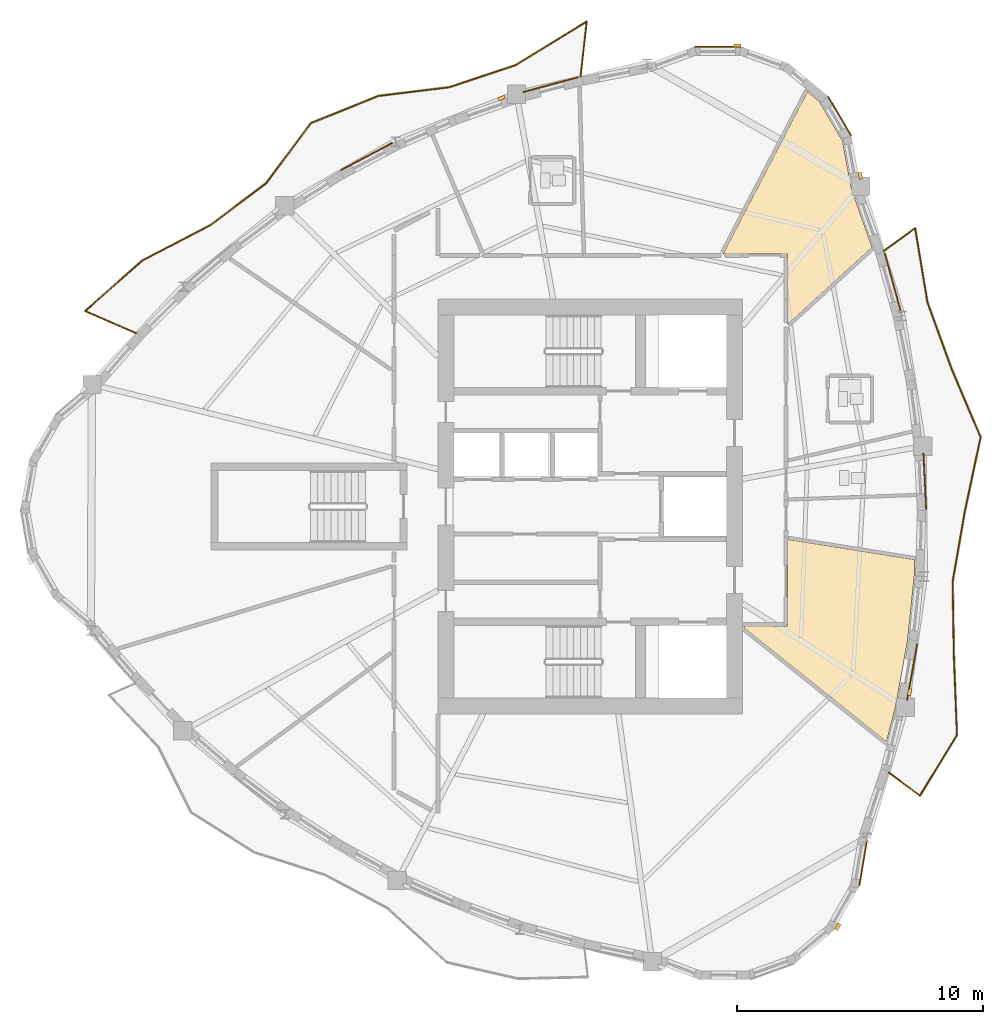
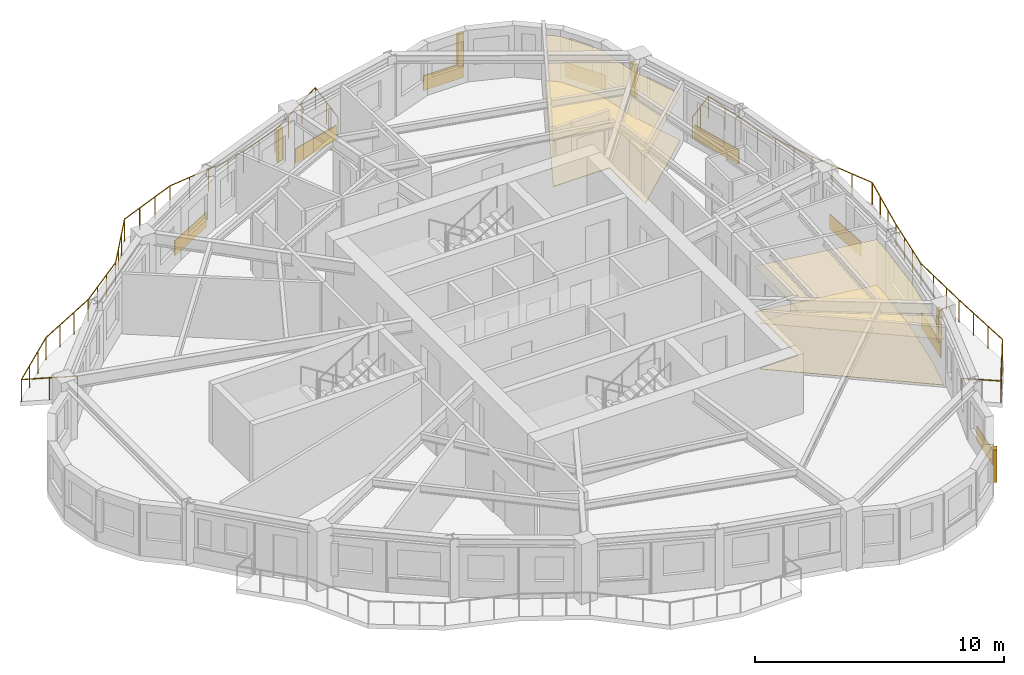
# One storey, part 11 of 12: 12 coverings, 5 shading devices, 2 railings.
"""IFC4 building model written with IfcOpenShell, lengths in metres."""

import ifcopenshell
import ifcopenshell.guid

model = None  # the IFC model being written
_history = None  # IfcOwnerHistory: only IFC2X3 demands one
_inside = {}  # id of a spatial element -> (the spatial element, [elements in it])
_under = {}  # id of a project, library or spatial element -> (it, [spatial elements below it])
_declared = {}  # id of a project -> (the project, [libraries it declares])
_typed = {}  # id of a type object -> (the type object, [elements of that type])
_made_of = {}  # id of a material, layer set ... -> (it, [elements and type objects made of it])


def new_model(schema):
    """Start an empty IFC model of exactly this schema.

    Asked for "IFC4X3", IfcOpenShell would pick the latest addendum, in which some entities
    have other attributes; the version numbers below select the first issue.
    IFC2X3 requires an IfcOwnerHistory on every rooted entity: one is made here for all.
    """
    global model, _history
    if schema == "IFC4X3":
        model = ifcopenshell.file(schema_version=(4, 3, 0, 0))
    else:
        model = ifcopenshell.file(schema=schema)
    _inside.clear()
    _under.clear()
    _declared.clear()
    _typed.clear()
    _made_of.clear()
    _history = None
    if model.schema == "IFC2X3":
        org = make("IfcOrganization", Name="unknown")
        user = make(
            "IfcPersonAndOrganization",
            ThePerson=make("IfcPerson", FamilyName="unknown"),
            TheOrganization=org,
        )
        app = make(
            "IfcApplication",
            ApplicationDeveloper=org,
            Version="unknown",
            ApplicationFullName="unknown",
            ApplicationIdentifier="unknown",
        )
        _history = make(
            "IfcOwnerHistory",
            OwningUser=user,
            OwningApplication=app,
            ChangeAction="ADDED",
            CreationDate=0,
        )
    return model


def make(cls, **values):
    """One entity of the class cls with the attributes given. An attribute that is None is left unset."""
    return model.create_entity(
        cls, **{name: value for name, value in values.items() if value is not None}
    )


def rooted(cls, **values):
    """An entity with a GlobalId (a new one), such as an element, a storey or a relation."""
    return make(cls, GlobalId=ifcopenshell.guid.new(), OwnerHistory=_history, **values)


def si_unit(unit_type, name, prefix=None):
    """IfcSIUnit, for example si_unit("LENGTHUNIT", "METRE", prefix="MILLI")."""
    return make("IfcSIUnit", UnitType=unit_type, Prefix=prefix, Name=name)


def assignment(units):
    """IfcUnitAssignment: the units of a project."""
    return None if units is None else make("IfcUnitAssignment", Units=units)


def point(xyz):
    """IfcCartesianPoint."""
    return None if xyz is None else make("IfcCartesianPoint", Coordinates=xyz)


def direction(xyz):
    """IfcDirection."""
    return None if xyz is None else make("IfcDirection", DirectionRatios=xyz)


def frame(location, z_axis=None, x_axis=None):
    """IfcAxis2Placement3D, a coordinate frame: its origin and axes. An axis left out is left unset."""
    return make(
        "IfcAxis2Placement3D",
        Location=point(location),
        Axis=direction(z_axis),
        RefDirection=direction(x_axis),
    )


def frame_2d(location, x_axis=None):
    """IfcAxis2Placement2D, a coordinate frame in the plane: its origin and x axis."""
    return make(
        "IfcAxis2Placement2D", Location=point(location), RefDirection=direction(x_axis)
    )


def origin():
    """The frame at (0, 0, 0) with its axes left unset."""
    return frame((0.0, 0.0, 0.0))


def origin_2d():
    """The frame at (0, 0) in the plane with its x axis left unset."""
    return frame_2d((0.0, 0.0))


def place(relative_to, where):
    """IfcLocalPlacement: puts the frame where relative to a parent placement (None: the world)."""
    return make(
        "IfcLocalPlacement", PlacementRelTo=relative_to, RelativePlacement=where
    )


def context(
    kind, dimensions, precision=None, world=None, true_north=None, identifier=None
):
    """IfcGeometricRepresentationContext, for example the 3D "Model" context."""
    return make(
        "IfcGeometricRepresentationContext",
        ContextIdentifier=identifier,
        ContextType=kind,
        CoordinateSpaceDimension=dimensions,
        Precision=precision,
        WorldCoordinateSystem=world,
        TrueNorth=true_north,
    )


def subcontext(parent, identifier, kind, view, scale=None):
    """IfcGeometricRepresentationSubContext, for example "Body" below "Model"."""
    return make(
        "IfcGeometricRepresentationSubContext",
        ContextIdentifier=identifier,
        ContextType=kind,
        ParentContext=parent,
        TargetScale=scale,
        TargetView=view,
    )


def project(units=None, contexts=None):
    """IfcProject with its units and contexts."""
    return rooted(
        "IfcProject",
        Name="project",
        RepresentationContexts=contexts,
        UnitsInContext=assignment(units),
    )


def spatial(cls, under=None, at=None, **own):
    """A site, building, storey or space (cls), placed at a placement, below another one or the project."""
    s = rooted(cls, ObjectPlacement=at, **own)
    if under is not None:
        _under.setdefault(under.id(), (under, []))[1].append(s)
    return s


def polyline(points):
    """IfcPolyline through the points."""
    return make("IfcPolyline", Points=[point(p) for p in points])


def profile(cls, at=None, kind="AREA", **sizes):
    """A parametric profile (cls). Its sizes go by their IFC names, for example OverallWidth=200.0."""
    return make(cls, ProfileType=kind, Position=at, **sizes)


def rectangle(**sizes):
    """IfcRectangleProfileDef."""
    return profile("IfcRectangleProfileDef", **sizes)


def circle(**sizes):
    """IfcCircleProfileDef."""
    return profile("IfcCircleProfileDef", **sizes)


def outline(outer, holes=None, kind="AREA"):
    """IfcArbitraryClosedProfileDef: a profile drawn as a closed curve; with holes, ...WithVoids."""
    if holes is None:
        return make("IfcArbitraryClosedProfileDef", ProfileType=kind, OuterCurve=outer)
    return make(
        "IfcArbitraryProfileDefWithVoids",
        ProfileType=kind,
        OuterCurve=outer,
        InnerCurves=holes,
    )


def extrude(swept, where, along, depth):
    """IfcExtrudedAreaSolid: the profile swept, set in the frame where, extruded along a direction by depth."""
    return make(
        "IfcExtrudedAreaSolid",
        SweptArea=swept,
        Position=where,
        ExtrudedDirection=direction(along),
        Depth=depth,
    )


def shape(context_of_items, identifier, shape_type, items):
    """IfcShapeRepresentation: the items that make up one representation, for example the "Body"."""
    return make(
        "IfcShapeRepresentation",
        ContextOfItems=context_of_items,
        RepresentationIdentifier=identifier,
        RepresentationType=shape_type,
        Items=items,
    )


def source(mapping_origin, context_of_items, identifier, shape_type, items):
    """IfcRepresentationMap: a shape defined once, which mapped items show again and again."""
    return make(
        "IfcRepresentationMap",
        MappingOrigin=mapping_origin,
        MappedRepresentation=shape(context_of_items, identifier, shape_type, items),
    )


def transform(
    local_origin,
    x_axis=None,
    y_axis=None,
    z_axis=None,
    scale=None,
    scale2=None,
    scale3=None,
    uniform=True,
):
    """IfcCartesianTransformationOperator3D, or its non-uniform kind. x_axis, y_axis, z_axis: its Axis1, 2, 3."""
    if uniform:
        return make(
            "IfcCartesianTransformationOperator3D",
            Axis1=direction(x_axis),
            Axis2=direction(y_axis),
            LocalOrigin=point(local_origin),
            Scale=scale,
            Axis3=direction(z_axis),
        )
    return make(
        "IfcCartesianTransformationOperator3DnonUniform",
        Axis1=direction(x_axis),
        Axis2=direction(y_axis),
        LocalOrigin=point(local_origin),
        Scale=scale,
        Axis3=direction(z_axis),
        Scale2=scale2,
        Scale3=scale3,
    )


def mapped(mapping_source, mapping_target):
    """IfcMappedItem: shows the shape of a source again, moved by a transform."""
    return make(
        "IfcMappedItem", MappingSource=mapping_source, MappingTarget=mapping_target
    )


def material(Name=None, Category=None):
    """IfcMaterial."""
    return make("IfcMaterial", Name=Name, Category=Category)


def layer(
    of_material, thickness, ventilated=None, Name=None, Category=None, Priority=None
):
    """IfcMaterialLayer: one layer of a wall or slab, of a material (None: an air gap)."""
    return make(
        "IfcMaterialLayer",
        Material=of_material,
        LayerThickness=thickness,
        IsVentilated=ventilated,
        Name=Name,
        Category=Category,
        Priority=Priority,
    )


def layer_set(layers, Name=None):
    """IfcMaterialLayerSet."""
    return make("IfcMaterialLayerSet", MaterialLayers=layers, LayerSetName=Name)


def made_of(thing, what):
    """Note that an element or type object is made of a material, layer set ...; save() writes the relation."""
    if what is not None:
        _made_of.setdefault(what.id(), (what, []))[1].append(thing)
    return thing


def type_object(cls, material=None, **own):
    """A type object (cls), such as IfcWallType, which elements share."""
    return made_of(rooted(cls, **own), material)


def element(
    cls,
    number,
    at=None,
    inside=None,
    cuts=None,
    type_object=None,
    material=None,
    context=None,
    identifier="Body",
    shape_type=None,
    held_by="IfcProductDefinitionShape",
    body=None,
    shapes=None,
    **own,
):
    """One element of the class cls, such as IfcWall. Its Tag is "e" and its number.

    at: its placement. inside: the storey or other place that contains it. cuts: it is an
    opening in that element (IfcRelVoidsElement). A single representation is given by context,
    identifier, shape_type and body (its items); several are given by shapes. held_by: the class
    of the entity that holds the representations. save() writes the other relations.
    """
    e = rooted(cls, Tag="e%d" % number, ObjectPlacement=at, **own)
    if body is not None:
        shapes = [shape(context, identifier, shape_type, body)]
    if shapes is not None:
        e.Representation = make(held_by, Representations=shapes)
    if inside is not None:
        _inside.setdefault(inside.id(), (inside, []))[1].append(e)
    if cuts is not None:
        rooted(
            "IfcRelVoidsElement", RelatingBuildingElement=cuts, RelatedOpeningElement=e
        )
    if type_object is not None:
        _typed.setdefault(type_object.id(), (type_object, []))[1].append(e)
    return made_of(e, material)


def aggregate(whole, parts):
    """IfcRelAggregates: a whole, such as a stair, and the parts it consists of."""
    return rooted("IfcRelAggregates", RelatingObject=whole, RelatedObjects=parts)


def save(model, path):
    """Write the relations noted so far, then the file.

    IfcRelAggregates (storeys below a building ...), IfcRelContainedInSpatialStructure (elements
    in a storey), IfcRelDefinesByType, IfcRelAssociatesMaterial and IfcRelDeclares: one each for
    every whole, place, type object, material and project.
    """
    for whole, parts in _under.values():
        aggregate(whole, parts)
    for where, things in _inside.values():
        rooted(
            "IfcRelContainedInSpatialStructure",
            RelatedElements=things,
            RelatingStructure=where,
        )
    for kind, things in _typed.values():
        rooted("IfcRelDefinesByType", RelatedObjects=things, RelatingType=kind)
    for what, things in _made_of.values():
        rooted("IfcRelAssociatesMaterial", RelatedObjects=things, RelatingMaterial=what)
    for by, libraries in _declared.values():
        rooted("IfcRelDeclares", RelatingContext=by, RelatedDefinitions=libraries)
    model.write(path)


model = new_model("IFC4")

# Units and contexts
model_context = context("Model", 3, precision=1e-05, world=origin(), true_north=direction((0.0, 1.0)))
body_context = subcontext(model_context, "Body", "Model", "MODEL_VIEW")
ifc_project = project(units=[si_unit("LENGTHUNIT", "METRE"), si_unit("AREAUNIT", "SQUARE_METRE"), si_unit("VOLUMEUNIT", "CUBIC_METRE"), si_unit("PLANEANGLEUNIT", "RADIAN"), si_unit("MASSUNIT", "GRAM", prefix="KILO")], contexts=[model_context])

# Site, building, storey
site_placement = place(None, origin())
site = spatial("IfcSite", under=ifc_project, at=site_placement, CompositionType="ELEMENT")
building_placement = place(site_placement, origin())
building = spatial("IfcBuilding", under=site, at=building_placement, Name="Qafzar Sky-Pleat Residences", CompositionType="ELEMENT")
storey_placement = place(building_placement, frame((0.0, 0.0, 139.39990234375)))
storey = spatial("IfcBuildingStorey", under=building, at=storey_placement, Name="L41", CompositionType="ELEMENT", Elevation=139.39990234375)

# Coverings
ifc_material_1 = material(Name="Perforated acoustic gypsum board ceiling")
ifc_layer_1 = layer(ifc_material_1, 0.02001953125)
ifc_layer_set_1 = layer_set([ifc_layer_1], Name="Perforated acoustic gypsum board ceiling")
covering_type_1 = type_object("IfcCoveringType", Name="COV-CEIL-ACOUSTIC", PredefinedType="CEILING", material=ifc_layer_set_1)
covering_1_placement = place(storey_placement, frame((0.0, 0.0, 2.239990234375)))
element("IfcCovering", 1, at=covering_1_placement, inside=storey, type_object=covering_type_1, Name="L41 Co-Living Lounge Acoustic Ceiling", PredefinedType="CEILING", context=body_context, shape_type="SweptSolid", body=[
    extrude(outline(polyline([(43.5498046875, 23.17431640625), (43.27587890625, 20.546142578125), (42.80224609375, 17.91552734375), (42.419189453125, 16.41748046875), (36.610107421875, 21.066650390625), (36.610107421875, 21.139892578125), (38.389892578125, 21.139892578125), (38.389892578125, 24.65966796875), (43.568603515625, 23.835205078125), (43.5498046875, 23.17431640625)])), origin(), (0.0, 0.0, 1.0), 0.02001953125),
])
covering_2_placement = place(storey_placement, frame((0.0, 0.0, 2.239990234375)))
element("IfcCovering", 2, at=covering_2_placement, inside=storey, type_object=covering_type_1, Name="L41 Communal Kitchen Acoustic Ceiling", PredefinedType="CEILING", context=body_context, shape_type="SweptSolid", body=[
    extrude(outline(polyline([(39.68310546875, 42.493896484375), (40.62890625, 40.8828125), (40.98779296875, 38.948486328125), (41.8310546875, 36.55810546875), (38.389892578125, 33.41796875), (38.389892578125, 36.2900390625), (35.768310546875, 36.2900390625), (39.201904296875, 42.893310546875), (39.68310546875, 42.493896484375)])), origin(), (0.0, 0.0, 1.0), 0.02001953125),
])
ifc_material_2 = material(Name="Honed porcelain and Riyadh stone tile flooring", Category="masonry")
ifc_layer_2 = layer(ifc_material_2, 0.02001953125)
ifc_layer_set_2 = layer_set([ifc_layer_2], Name="Honed porcelain and Riyadh stone tile flooring")
covering_type_2 = type_object("IfcCoveringType", Name="COV-FLR-PORCELAIN", PredefinedType="FLOORING", material=ifc_layer_set_2)
covering_3_placement = place(storey_placement, origin())
element("IfcCovering", 3, at=covering_3_placement, inside=storey, type_object=covering_type_2, Name="L41 Co-Living Lounge Honed Stone Flooring", PredefinedType="FLOORING", context=body_context, shape_type="SweptSolid", body=[
    extrude(outline(polyline([(43.5498046875, 23.17431640625), (43.27587890625, 20.546142578125), (42.80224609375, 17.91552734375), (42.419189453125, 16.41748046875), (36.610107421875, 21.066650390625), (36.610107421875, 21.139892578125), (38.389892578125, 21.139892578125), (38.389892578125, 24.65966796875), (43.568603515625, 23.835205078125), (43.5498046875, 23.17431640625)])), origin(), (0.0, 0.0, 1.0), 0.02001953125),
])
covering_4_placement = place(storey_placement, origin())
element("IfcCovering", 4, at=covering_4_placement, inside=storey, type_object=covering_type_2, Name="L41 Communal Kitchen Honed Stone Flooring", PredefinedType="FLOORING", context=body_context, shape_type="SweptSolid", body=[
    extrude(outline(polyline([(39.68310546875, 42.493896484375), (40.62890625, 40.8828125), (40.98779296875, 38.948486328125), (41.8310546875, 36.55810546875), (38.389892578125, 33.41796875), (38.389892578125, 36.2900390625), (35.768310546875, 36.2900390625), (39.201904296875, 42.893310546875), (39.68310546875, 42.493896484375)])), origin(), (0.0, 0.0, 1.0), 0.02001953125),
])

# Shading devices
ifc_material_3 = material(Name="Honed Riyadh limestone solar fin", Category="masonry")
ifc_layer_3 = layer(ifc_material_3, 0.139892578125)
ifc_layer_set_3 = layer_set([ifc_layer_3], Name="Honed Riyadh limestone solar fin")
shading_device_type = type_object("IfcShadingDeviceType", Name="SHD-FIN-STONE", PredefinedType="SHUTTER", material=ifc_layer_set_3)
shared_shape_1 = source(origin(), body_context, "Body", "SweptSolid", [
    extrude(rectangle(XDim=0.139892578125, YDim=0.280029296875, at=origin_2d()), origin(), (0.0, 0.0, 1.0), 1.60009765625),
])
for number, where, z_axis, x_axis, name in (
    (5, (40.4375, 8.890380859375, 0.60009765625), (0.0, 0.0, 1.0), (0.868430786621, -0.495810416236, 0.0), "L41 Limestone Solar Fin 21"),
    (6, (43.360595703125, 18.4482421875, 0.60009765625), (0.0, 0.0, 1.0), (0.98417699891, -0.177188133958, 0.0), "L41 Limestone Solar Fin 25"),
    (7, (41.35400390625, 39.468505859375, 0.60009765625), (0.0, 0.0, 1.0), (0.983238323882, 0.182324980325, 0.0), "L41 Limestone Solar Fin 33"),
    (8, (36.35693359375, 44.7734375, 0.60009765625), (0.0, 0.0, 1.0), (-0.002443761091, 0.999997014011, 0.0), "L41 Limestone Solar Fin 37"),
    (9, (26.750244140625, 42.639892578125, 0.60009765625), (0.0, 0.0, 1.0), (-0.329555550412, 0.944136186783, 0.0), "L41 Limestone Solar Fin 41"),
):
    element("IfcShadingDevice", number, at=place(storey_placement, frame(where, z_axis=z_axis, x_axis=x_axis)), inside=storey, type_object=shading_device_type, Name=name, PredefinedType="SHUTTER", context=body_context, shape_type="MappedRepresentation", body=[
        mapped(shared_shape_1, transform((0.0, 0.0, 0.0), x_axis=(1.0, 0.0, 0.0), y_axis=(0.0, 1.0, 0.0), z_axis=(0.0, 0.0, 1.0), scale=1.0)),
    ])

# Railings
ifc_material_4 = material(Name="Laminated glass and bronze steel balustrade", Category="steel")
railing_type = type_object("IfcRailingType", Name="RAIL-BAL-1100", PredefinedType="BALUSTRADE", material=ifc_material_4)
shared_shape_2 = source(origin(), body_context, "Body", "SweptSolid", [
    extrude(circle(Radius=0.02392578125, at=origin_2d()), frame((0.0, 0.0, 1.076171875), z_axis=(0.801353404817, -0.598191207381, 0.0), x_axis=(0.598191207381, 0.801353404817, 0.0)), (0.0, 0.0, 1.0), 1.577880859375),
    extrude(circle(Radius=0.02392578125, at=origin_2d()), frame((1.264404296875, -0.94384765625, 1.076171875), z_axis=(0.520405615074, 0.853919197465, 0.0), x_axis=(-0.853919197465, 0.520405615074, 0.0)), (0.0, 0.0, 1.0), 2.904052734375),
    extrude(circle(Radius=0.02392578125, at=origin_2d()), frame((2.775634765625, 1.535888671875, 1.076171875), z_axis=(-0.038645555912, 0.999252981486, 0.0), x_axis=(-0.999252981486, -0.038645555912, 0.0)), (0.0, 0.0, 1.0), 3.26611328125),
    extrude(circle(Radius=0.02392578125, at=origin_2d()), frame((2.6494140625, 4.799560546875, 1.076171875), z_axis=(-0.017312356591, 0.999850129924, 0.0), x_axis=(-0.999850129924, -0.017312356591, 0.0)), (0.0, 0.0, 1.0), 2.9755859375),
    extrude(circle(Radius=0.02392578125, at=origin_2d()), frame((2.597900390625, 7.774658203125, 1.076171875), z_axis=(0.171045008682, 0.985263216103, 0.0), x_axis=(-0.985263216103, 0.171045008682, 0.0)), (0.0, 0.0, 1.0), 2.887451171875),
    extrude(circle(Radius=0.02392578125, at=origin_2d()), frame((3.091796875, 10.61962890625, 1.076171875), z_axis=(0.207848413756, 0.978161048549, 0.0), x_axis=(-0.978161048549, 0.207848413756, 0.0)), (0.0, 0.0, 1.0), 3.105712890625),
    extrude(circle(Radius=0.02392578125, at=origin_2d()), frame((3.7373046875, 13.657470703125, 1.076171875), z_axis=(-0.390327818076, 0.920675944313, 0.0), x_axis=(-0.920675944313, -0.390327818076, 0.0)), (0.0, 0.0, 1.0), 3.021728515625),
    extrude(circle(Radius=0.02392578125, at=origin_2d()), frame((2.557861328125, 16.439453125, 1.076171875), z_axis=(-0.342193439996, 0.939629527858, 0.0), x_axis=(-0.939629527858, -0.342193439996, 0.0)), (0.0, 0.0, 1.0), 2.872314453125),
    extrude(circle(Radius=0.02392578125, at=origin_2d()), frame((1.574951171875, 19.138427734375, 1.076171875), z_axis=(-0.163447252844, 0.986552074418, 0.0), x_axis=(-0.986552074418, -0.163447252844, 0.0)), (0.0, 0.0, 1.0), 3.07861328125),
    extrude(circle(Radius=0.02392578125, at=origin_2d()), frame((1.07177734375, 22.175537109375, 1.076171875), z_axis=(-0.808622343014, -0.588328060165, 0.0), x_axis=(0.588328060165, -0.808622343014, 0.0)), (0.0, 0.0, 1.0), 1.578125),
    extrude(circle(Radius=0.02099609375, at=origin_2d()), origin(), (0.0, 0.0, 1.0), 1.052001953125),
    extrude(circle(Radius=0.02099609375, at=origin_2d()), frame((0.63232421875, -0.471923828125, 0.0)), (0.0, 0.0, 1.0), 1.052001953125),
    extrude(circle(Radius=0.02099609375, at=origin_2d()), frame((1.264404296875, -0.94384765625, 0.0)), (0.0, 0.0, 1.0), 1.052001953125),
    extrude(circle(Radius=0.02099609375, at=origin_2d()), frame((1.76806640625, -0.1171875, 0.0)), (0.0, 0.0, 1.0), 1.052001953125),
    extrude(circle(Radius=0.02099609375, at=origin_2d()), frame((2.27197265625, 0.709228515625, 0.0)), (0.0, 0.0, 1.0), 1.052001953125),
    extrude(circle(Radius=0.02099609375, at=origin_2d()), frame((2.775634765625, 1.535888671875, 0.0)), (0.0, 0.0, 1.0), 1.052001953125),
    extrude(circle(Radius=0.02099609375, at=origin_2d()), frame((2.733642578125, 2.623779296875, 0.0)), (0.0, 0.0, 1.0), 1.052001953125),
    extrude(circle(Radius=0.02099609375, at=origin_2d()), frame((2.69140625, 3.711669921875, 0.0)), (0.0, 0.0, 1.0), 1.052001953125),
    extrude(circle(Radius=0.02099609375, at=origin_2d()), frame((2.6494140625, 4.799560546875, 0.0)), (0.0, 0.0, 1.0), 1.052001953125),
    extrude(circle(Radius=0.02099609375, at=origin_2d()), frame((2.63232421875, 5.791259765625, 0.0)), (0.0, 0.0, 1.0), 1.052001953125),
    extrude(circle(Radius=0.02099609375, at=origin_2d()), frame((2.614990234375, 6.782958984375, 0.0)), (0.0, 0.0, 1.0), 1.052001953125),
    extrude(circle(Radius=0.02099609375, at=origin_2d()), frame((2.597900390625, 7.774658203125, 0.0)), (0.0, 0.0, 1.0), 1.052001953125),
    extrude(circle(Radius=0.02099609375, at=origin_2d()), frame((2.762451171875, 8.722900390625, 0.0)), (0.0, 0.0, 1.0), 1.052001953125),
    extrude(circle(Radius=0.02099609375, at=origin_2d()), frame((2.92724609375, 9.67138671875, 0.0)), (0.0, 0.0, 1.0), 1.052001953125),
    extrude(circle(Radius=0.02099609375, at=origin_2d()), frame((3.091796875, 10.61962890625, 0.0)), (0.0, 0.0, 1.0), 1.052001953125),
    extrude(circle(Radius=0.02099609375, at=origin_2d()), frame((3.306884765625, 11.63232421875, 0.0)), (0.0, 0.0, 1.0), 1.052001953125),
    extrude(circle(Radius=0.02099609375, at=origin_2d()), frame((3.522216796875, 12.644775390625, 0.0)), (0.0, 0.0, 1.0), 1.052001953125),
    extrude(circle(Radius=0.02099609375, at=origin_2d()), frame((3.7373046875, 13.657470703125, 0.0)), (0.0, 0.0, 1.0), 1.052001953125),
    extrude(circle(Radius=0.02099609375, at=origin_2d()), frame((3.34423828125, 14.584716796875, 0.0)), (0.0, 0.0, 1.0), 1.052001953125),
    extrude(circle(Radius=0.02099609375, at=origin_2d()), frame((2.950927734375, 15.51220703125, 0.0)), (0.0, 0.0, 1.0), 1.052001953125),
    extrude(circle(Radius=0.02099609375, at=origin_2d()), frame((2.557861328125, 16.439453125, 0.0)), (0.0, 0.0, 1.0), 1.052001953125),
    extrude(circle(Radius=0.02099609375, at=origin_2d()), frame((2.230224609375, 17.339111328125, 0.0)), (0.0, 0.0, 1.0), 1.052001953125),
    extrude(circle(Radius=0.02099609375, at=origin_2d()), frame((1.902587890625, 18.23876953125, 0.0)), (0.0, 0.0, 1.0), 1.052001953125),
    extrude(circle(Radius=0.02099609375, at=origin_2d()), frame((1.574951171875, 19.138427734375, 0.0)), (0.0, 0.0, 1.0), 1.052001953125),
    extrude(circle(Radius=0.02099609375, at=origin_2d()), frame((1.4072265625, 20.15087890625, 0.0)), (0.0, 0.0, 1.0), 1.052001953125),
    extrude(circle(Radius=0.02099609375, at=origin_2d()), frame((1.239501953125, 21.1630859375, 0.0)), (0.0, 0.0, 1.0), 1.052001953125),
    extrude(circle(Radius=0.02099609375, at=origin_2d()), frame((1.07177734375, 22.175537109375, 0.0)), (0.0, 0.0, 1.0), 1.052001953125),
    extrude(circle(Radius=0.02099609375, at=origin_2d()), frame((0.43359375, 21.71142578125, 0.0)), (0.0, 0.0, 1.0), 1.052001953125),
    extrude(circle(Radius=0.02099609375, at=origin_2d()), frame((-0.204345703125, 21.2470703125, 0.0)), (0.0, 0.0, 1.0), 1.052001953125),
])
railing_1_placement = place(storey_placement, frame((42.512939453125, 15.164306640625, 0.0)))
element("IfcRailing", 10, at=railing_1_placement, inside=storey, type_object=railing_type, Name="L41 Pleated Balcony 1 Balustrade", PredefinedType="BALUSTRADE", context=body_context, shape_type="MappedRepresentation", body=[
    mapped(shared_shape_2, transform((0.0, 0.0, 0.0), x_axis=(1.0, 0.0, 0.0), y_axis=(0.0, 1.0, 0.0), z_axis=(0.0, 0.0, 1.0), scale=1.0)),
])
shared_shape_3 = source(origin(), body_context, "Body", "SweptSolid", [
    extrude(circle(Radius=0.02392578125, at=origin_2d()), frame((0.0, 0.0, 1.076171875), z_axis=(0.111375424683, 0.993778403255, 0.0), x_axis=(-0.993778403255, 0.111375424683, 0.0)), (0.0, 0.0, 1.0), 2.27099609375),
    extrude(circle(Radius=0.02392578125, at=origin_2d()), frame((0.2529296875, 2.2568359375, 1.076171875), z_axis=(-0.852424246602, -0.52285074716, 0.0), x_axis=(0.52285074716, -0.852424246602, 0.0)), (0.0, 0.0, 1.0), 3.41064453125),
    extrude(circle(Radius=0.02392578125, at=origin_2d()), frame((-2.654296875, 0.4736328125, 1.076171875), z_axis=(-0.948743463962, -0.316047211013, 0.0), x_axis=(0.316047211013, -0.948743463962, 0.0)), (0.0, 0.0, 1.0), 2.839599609375),
    extrude(circle(Radius=0.02392578125, at=origin_2d()), frame((-5.348388671875, -0.423828125, 1.076171875), z_axis=(-0.99263797052, -0.12111919535, 0.0), x_axis=(0.12111919535, -0.99263797052, 0.0)), (0.0, 0.0, 1.0), 2.896484375),
    extrude(circle(Radius=0.02392578125, at=origin_2d()), frame((-8.2236328125, -0.774658203125, 1.076171875), z_axis=(-0.92795936646, -0.372681384295, 0.0), x_axis=(0.372681384295, -0.92795936646, 0.0)), (0.0, 0.0, 1.0), 2.966796875),
    extrude(circle(Radius=0.02392578125, at=origin_2d()), frame((-10.976806640625, -1.88037109375, 1.076171875), z_axis=(-0.59768284632, -0.801732633248, 0.0), x_axis=(0.801732633248, -0.59768284632, 0.0)), (0.0, 0.0, 1.0), 3.0546875),
    extrude(circle(Radius=0.02392578125, at=origin_2d()), frame((-12.802490234375, -4.329345703125, 1.076171875), z_axis=(-0.798375377885, -0.602160075052, 0.0), x_axis=(0.602160075052, -0.798375377885, 0.0)), (0.0, 0.0, 1.0), 2.818115234375),
    extrude(circle(Radius=0.02392578125, at=origin_2d()), frame((-15.052490234375, -6.0263671875, 1.076171875), z_axis=(-0.887009097879, -0.461751946699, 0.0), x_axis=(0.461751946699, -0.887009097879, 0.0)), (0.0, 0.0, 1.0), 3.157470703125),
    extrude(circle(Radius=0.02392578125, at=origin_2d()), frame((-17.853271484375, -7.484375, 1.076171875), z_axis=(-0.749149940714, -0.662400457676, 0.0), x_axis=(0.662400457676, -0.749149940714, 0.0)), (0.0, 0.0, 1.0), 3.0986328125),
    extrude(circle(Radius=0.02392578125, at=origin_2d()), frame((-20.174560546875, -9.536865234375, 1.076171875), z_axis=(0.916307784316, -0.400474773739, 0.0), x_axis=(0.400474773739, 0.916307784316, 0.0)), (0.0, 0.0, 1.0), 2.270751953125),
    extrude(circle(Radius=0.02099609375, at=origin_2d()), origin(), (0.0, 0.0, 1.0), 1.052001953125),
    extrude(circle(Radius=0.02099609375, at=origin_2d()), frame((0.12646484375, 1.12841796875, 0.0)), (0.0, 0.0, 1.0), 1.052001953125),
    extrude(circle(Radius=0.02099609375, at=origin_2d()), frame((0.2529296875, 2.2568359375, 0.0)), (0.0, 0.0, 1.0), 1.052001953125),
    extrude(circle(Radius=0.02099609375, at=origin_2d()), frame((-0.716064453125, 1.662353515625, 0.0)), (0.0, 0.0, 1.0), 1.052001953125),
    extrude(circle(Radius=0.02099609375, at=origin_2d()), frame((-1.685302734375, 1.068115234375, 0.0)), (0.0, 0.0, 1.0), 1.052001953125),
    extrude(circle(Radius=0.02099609375, at=origin_2d()), frame((-2.654296875, 0.4736328125, 0.0)), (0.0, 0.0, 1.0), 1.052001953125),
    extrude(circle(Radius=0.02099609375, at=origin_2d()), frame((-3.55224609375, 0.174560546875, 0.0)), (0.0, 0.0, 1.0), 1.052001953125),
    extrude(circle(Radius=0.02099609375, at=origin_2d()), frame((-4.450439453125, -0.124755859375, 0.0)), (0.0, 0.0, 1.0), 1.052001953125),
    extrude(circle(Radius=0.02099609375, at=origin_2d()), frame((-5.348388671875, -0.423828125, 0.0)), (0.0, 0.0, 1.0), 1.052001953125),
    extrude(circle(Radius=0.02099609375, at=origin_2d()), frame((-6.306884765625, -0.540771484375, 0.0)), (0.0, 0.0, 1.0), 1.052001953125),
    extrude(circle(Radius=0.02099609375, at=origin_2d()), frame((-7.26513671875, -0.65771484375, 0.0)), (0.0, 0.0, 1.0), 1.052001953125),
    extrude(circle(Radius=0.02099609375, at=origin_2d()), frame((-8.2236328125, -0.774658203125, 0.0)), (0.0, 0.0, 1.0), 1.052001953125),
    extrude(circle(Radius=0.02099609375, at=origin_2d()), frame((-9.141357421875, -1.143310546875, 0.0)), (0.0, 0.0, 1.0), 1.052001953125),
    extrude(circle(Radius=0.02099609375, at=origin_2d()), frame((-10.05908203125, -1.51171875, 0.0)), (0.0, 0.0, 1.0), 1.052001953125),
    extrude(circle(Radius=0.02099609375, at=origin_2d()), frame((-10.976806640625, -1.88037109375, 0.0)), (0.0, 0.0, 1.0), 1.052001953125),
    extrude(circle(Radius=0.02099609375, at=origin_2d()), frame((-11.58544921875, -2.69677734375, 0.0)), (0.0, 0.0, 1.0), 1.052001953125),
    extrude(circle(Radius=0.02099609375, at=origin_2d()), frame((-12.19384765625, -3.512939453125, 0.0)), (0.0, 0.0, 1.0), 1.052001953125),
    extrude(circle(Radius=0.02099609375, at=origin_2d()), frame((-12.802490234375, -4.329345703125, 0.0)), (0.0, 0.0, 1.0), 1.052001953125),
    extrude(circle(Radius=0.02099609375, at=origin_2d()), frame((-13.552490234375, -4.89501953125, 0.0)), (0.0, 0.0, 1.0), 1.052001953125),
    extrude(circle(Radius=0.02099609375, at=origin_2d()), frame((-14.302490234375, -5.460693359375, 0.0)), (0.0, 0.0, 1.0), 1.052001953125),
    extrude(circle(Radius=0.02099609375, at=origin_2d()), frame((-15.052490234375, -6.0263671875, 0.0)), (0.0, 0.0, 1.0), 1.052001953125),
    extrude(circle(Radius=0.02099609375, at=origin_2d()), frame((-15.986083984375, -6.512451171875, 0.0)), (0.0, 0.0, 1.0), 1.052001953125),
    extrude(circle(Radius=0.02099609375, at=origin_2d()), frame((-16.919677734375, -6.998291015625, 0.0)), (0.0, 0.0, 1.0), 1.052001953125),
    extrude(circle(Radius=0.02099609375, at=origin_2d()), frame((-17.853271484375, -7.484375, 0.0)), (0.0, 0.0, 1.0), 1.052001953125),
    extrude(circle(Radius=0.02099609375, at=origin_2d()), frame((-18.626953125, -8.16845703125, 0.0)), (0.0, 0.0, 1.0), 1.052001953125),
    extrude(circle(Radius=0.02099609375, at=origin_2d()), frame((-19.40087890625, -8.852783203125, 0.0)), (0.0, 0.0, 1.0), 1.052001953125),
    extrude(circle(Radius=0.02099609375, at=origin_2d()), frame((-20.174560546875, -9.536865234375, 0.0)), (0.0, 0.0, 1.0), 1.052001953125),
    extrude(circle(Radius=0.02099609375, at=origin_2d()), frame((-19.13427734375, -9.99169921875, 0.0)), (0.0, 0.0, 1.0), 1.052001953125),
    extrude(circle(Radius=0.02099609375, at=origin_2d()), frame((-18.09375, -10.4462890625, 0.0)), (0.0, 0.0, 1.0), 1.052001953125),
])
railing_2_placement = place(storey_placement, frame((29.960693359375, 43.49658203125, 0.0)))
element("IfcRailing", 11, at=railing_2_placement, inside=storey, type_object=railing_type, Name="L41 Pleated Balcony 2 Balustrade", PredefinedType="BALUSTRADE", context=body_context, shape_type="MappedRepresentation", body=[
    mapped(shared_shape_3, transform((0.0, 0.0, 0.0), x_axis=(1.0, 0.0, 0.0), y_axis=(0.0, 1.0, 0.0), z_axis=(0.0, 0.0, 1.0), scale=1.0)),
])

# Coverings
ifc_material_5 = material(Name="Honed Riyadh Tuwaiq limestone cladding", Category="masonry")
ifc_layer_4 = layer(ifc_material_5, 0.044921875)
ifc_layer_set_4 = layer_set([ifc_layer_4], Name="Honed Riyadh Tuwaiq limestone cladding")
covering_type_3 = type_object("IfcCoveringType", Name="COV-CLAD-STONE", PredefinedType="CLADDING", material=ifc_layer_set_4)
shared_shape_4 = source(origin(), body_context, "Body", "SweptSolid", [
    extrude(rectangle(XDim=1.873046875, YDim=0.044921875, at=origin_2d()), origin(), (0.0, 0.0, 1.0), 0.719970703125),
])
for number, where, z_axis, x_axis, name in (
    (12, (40.511474609375, 41.89697265625, 0.02001953125), (0.0, 0.0, 1.0), (-0.50623242321, 0.862397085855, 0.0), "L41 Riyadh Limestone Spandrel Cladding 34"),
    (13, (35.552001953125, 44.728515625, 0.02001953125), (0.0, 0.0, 1.0), (-0.999996997227, -0.002450619708, 0.0), "L41 Riyadh Limestone Spandrel Cladding 37"),
):
    element("IfcCovering", number, at=place(storey_placement, frame(where, z_axis=z_axis, x_axis=x_axis)), inside=storey, type_object=covering_type_3, Name=name, PredefinedType="CLADDING", context=body_context, shape_type="MappedRepresentation", body=[
        mapped(shared_shape_4, transform((0.0, 0.0, 0.0), x_axis=(1.0, 0.0, 0.0), y_axis=(0.0, 1.0, 0.0), z_axis=(0.0, 0.0, 1.0), scale=1.0)),
    ])
shared_shape_5 = source(origin(), body_context, "Body", "SweptSolid", [
    extrude(rectangle(XDim=1.845703125, YDim=0.044921875, at=origin_2d()), origin(), (0.0, 0.0, 1.0), 0.719970703125),
])
covering_5_placement = place(storey_placement, frame((41.469482421875, 11.474365234375, 0.02001953125), z_axis=(0.0, 0.0, 1.0), x_axis=(0.165703638035, 0.986175595085, 0.0)))
element("IfcCovering", 14, at=covering_5_placement, inside=storey, type_object=covering_type_3, Name="L41 Riyadh Limestone Spandrel Cladding 22", PredefinedType="CLADDING", context=body_context, shape_type="MappedRepresentation", body=[
    mapped(shared_shape_5, transform((0.0, 0.0, 0.0), x_axis=(1.0, 0.0, 0.0), y_axis=(0.0, 1.0, 0.0), z_axis=(0.0, 0.0, 1.0), scale=1.0)),
])
shared_shape_6 = source(origin(), body_context, "Body", "SweptSolid", [
    extrude(rectangle(XDim=2.326171875, YDim=0.044921875, at=origin_2d()), origin(), (0.0, 0.0, 1.0), 0.719970703125),
])
covering_6_placement = place(storey_placement, frame((43.4619140625, 19.2529296875, 0.02001953125), z_axis=(0.0, 0.0, 1.0), x_axis=(0.177165740364, 0.98418103032, 0.0)))
element("IfcCovering", 15, at=covering_6_placement, inside=storey, type_object=covering_type_3, Name="L41 Riyadh Limestone Spandrel Cladding 25", PredefinedType="CLADDING", context=body_context, shape_type="MappedRepresentation", body=[
    mapped(shared_shape_6, transform((0.0, 0.0, 0.0), x_axis=(1.0, 0.0, 0.0), y_axis=(0.0, 1.0, 0.0), z_axis=(0.0, 0.0, 1.0), scale=1.0)),
])
shared_shape_7 = source(origin(), body_context, "Body", "SweptSolid", [
    extrude(rectangle(XDim=2.28515625, YDim=0.044921875, at=origin_2d()), origin(), (0.0, 0.0, 1.0), 0.719970703125),
])
covering_7_placement = place(storey_placement, frame((43.97802734375, 27.03466796875, 0.02001953125), z_axis=(0.0, 0.0, 1.0), x_axis=(-0.047613798694, 0.998865819905, 0.0)))
element("IfcCovering", 16, at=covering_7_placement, inside=storey, type_object=covering_type_3, Name="L41 Riyadh Limestone Spandrel Cladding 28", PredefinedType="CLADDING", context=body_context, shape_type="MappedRepresentation", body=[
    mapped(shared_shape_7, transform((0.0, 0.0, 0.0), x_axis=(1.0, 0.0, 0.0), y_axis=(0.0, 1.0, 0.0), z_axis=(0.0, 0.0, 1.0), scale=1.0)),
])
shared_shape_8 = source(origin(), body_context, "Body", "SweptSolid", [
    extrude(rectangle(XDim=2.488037109375, YDim=0.044921875, at=origin_2d()), origin(), (0.0, 0.0, 1.0), 0.719970703125),
])
covering_8_placement = place(storey_placement, frame((42.677978515625, 35.114501953125, 0.02001953125), z_axis=(0.0, 0.0, 1.0), x_axis=(-0.266345107922, 0.963877732644, 0.0)))
element("IfcCovering", 17, at=covering_8_placement, inside=storey, type_object=covering_type_3, Name="L41 Riyadh Limestone Spandrel Cladding 31", PredefinedType="CLADDING", context=body_context, shape_type="MappedRepresentation", body=[
    mapped(shared_shape_8, transform((0.0, 0.0, 0.0), x_axis=(1.0, 0.0, 0.0), y_axis=(0.0, 1.0, 0.0), z_axis=(0.0, 0.0, 1.0), scale=1.0)),
])
shared_shape_9 = source(origin(), body_context, "Body", "SweptSolid", [
    extrude(rectangle(XDim=2.3251953125, YDim=0.044921875, at=origin_2d()), origin(), (0.0, 0.0, 1.0), 0.719970703125),
])
covering_9_placement = place(storey_placement, frame((28.7431640625, 43.179443359375, 0.02001953125), z_axis=(0.0, 0.0, 1.0), x_axis=(-0.965454501044, -0.260571691506, 0.0)))
element("IfcCovering", 18, at=covering_9_placement, inside=storey, type_object=covering_type_3, Name="L41 Riyadh Limestone Spandrel Cladding 40", PredefinedType="CLADDING", context=body_context, shape_type="MappedRepresentation", body=[
    mapped(shared_shape_9, transform((0.0, 0.0, 0.0), x_axis=(1.0, 0.0, 0.0), y_axis=(0.0, 1.0, 0.0), z_axis=(0.0, 0.0, 1.0), scale=1.0)),
])
shared_shape_10 = source(origin(), body_context, "Body", "SweptSolid", [
    extrude(rectangle(XDim=2.36669921875, YDim=0.044921875, at=origin_2d()), origin(), (0.0, 0.0, 1.0), 0.719970703125),
])
covering_10_placement = place(storey_placement, frame((21.244384765625, 40.2548828125, 0.02001953125), z_axis=(0.0, 0.0, 1.0), x_axis=(-0.884385624871, -0.466756967299, 0.0)))
element("IfcCovering", 19, at=covering_10_placement, inside=storey, type_object=covering_type_3, Name="L41 Riyadh Limestone Spandrel Cladding 43", PredefinedType="CLADDING", context=body_context, shape_type="MappedRepresentation", body=[
    mapped(shared_shape_10, transform((0.0, 0.0, 0.0), x_axis=(1.0, 0.0, 0.0), y_axis=(0.0, 1.0, 0.0), z_axis=(0.0, 0.0, 1.0), scale=1.0)),
])

save(model, "model.ifc")
